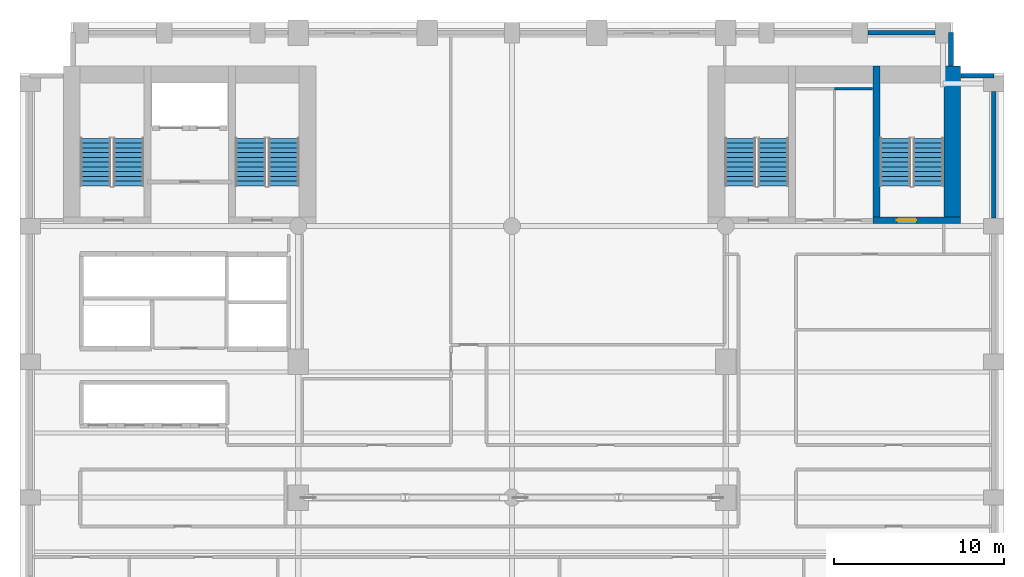
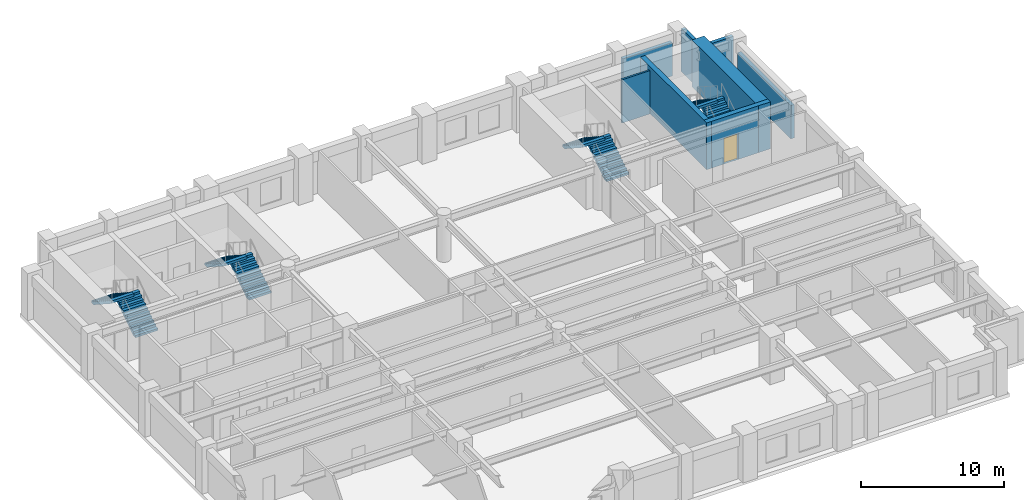
# One storey, part 8 of 10: 8 stair flights, 8 walls, 1 door, 1 opening, 4 elements without a shape of their own.
"""IFC4 building model written with IfcOpenShell, lengths in metres."""

from ifc_helpers import new_model, si_unit, direction, frame, frame_2d, origin, place, context, subcontext, project, spatial, polyline, rectangle, outline, extrude, material, layer, layer_set, type_object, element, fill, aggregate, save


model = new_model("IFC4")

# Units and contexts
model_context = context("Model", 3, precision=1e-05, world=origin(), true_north=direction((0.0, 1.0)))
body_context = subcontext(model_context, "Body", "Model", "MODEL_VIEW")
ifc_project = project(units=[si_unit("LENGTHUNIT", "METRE"), si_unit("AREAUNIT", "SQUARE_METRE"), si_unit("VOLUMEUNIT", "CUBIC_METRE"), si_unit("PLANEANGLEUNIT", "RADIAN"), si_unit("MASSUNIT", "GRAM", prefix="KILO")], contexts=[model_context])

# Site, building, storey
site_placement = place(None, origin())
site = spatial("IfcSite", under=ifc_project, at=site_placement, CompositionType="ELEMENT")
building_placement = place(site_placement, origin())
building = spatial("IfcBuilding", under=site, at=building_placement, Name="Sulina Concourse Tower", CompositionType="ELEMENT")
storey_placement = place(building_placement, frame((0.0, 0.0, 62.60009765625)))
storey = spatial("IfcBuildingStorey", under=building, at=storey_placement, Name="L15", CompositionType="ELEMENT", Elevation=62.60009765625)

# Wall
ifc_material_1 = material(Name="Gypsum board on steel stud", Category="steel")
ifc_layer_1 = layer(ifc_material_1, 0.14990234375)
ifc_layer_set_1 = layer_set([ifc_layer_1], Name="Gypsum board on steel stud")
wall_type_1 = type_object("IfcWallType", Name="Inter-Tenancy Acoustic Partition 150mm", PredefinedType="PARTITIONING", material=ifc_layer_set_1)
wall_1_placement = place(storey_placement, frame((48.0, 42.10009765625, 0.0), z_axis=(0.0, 0.0, 1.0), x_axis=(1.0, 0.0, 0.0)))
element("IfcWall", 1, at=wall_1_placement, inside=storey, type_object=wall_type_1, Name="L15 interior partition 028", PredefinedType="PARTITIONING", context=body_context, shape_type="SweptSolid", body=[
    extrude(rectangle(XDim=2.25, YDim=0.14990234375, at=frame_2d((1.125, 0.0))), origin(), (0.0, 0.0, 1.0), 3.699951171875),
])

# Wall, opening, door
ifc_material_2 = material(Name="Concrete C60/75", Category="concrete")
ifc_layer_2 = layer(ifc_material_2, 0.39990234375)
ifc_layer_set_2 = layer_set([ifc_layer_2], Name="Concrete C60/75")
wall_type_2 = type_object("IfcWallType", Name="Protected Stair Core Shear Wall 400mm", PredefinedType="SHEAR", material=ifc_layer_set_2)
wall_2_placement = place(storey_placement, frame((50.2900390625, 34.35009765625, 0.0), z_axis=(0.0, 0.0, 1.0), x_axis=(1.0, 0.0, 0.0)))
wall_2 = element("IfcWall", 2, at=wall_2_placement, inside=storey, type_object=wall_type_2, Name="L15 east core shear wall CW-ES2", PredefinedType="SHEAR", context=body_context, shape_type="SweptSolid", body=[
    extrude(rectangle(XDim=5.159912109375, YDim=0.39990234375, at=frame_2d((2.580078125, 0.0))), origin(), (0.0, 0.0, 1.0), 4.0),
])
opening_placement = place(wall_2_placement, frame((1.39990234375, 0.0, 0.0)))
opening = element("IfcOpeningElement", 3, at=opening_placement, cuts=wall_2, Name="Opening DR-60", PredefinedType="OPENING", context=body_context, shape_type="SweptSolid", body=[
    extrude(rectangle(XDim=1.14990234375, YDim=2.199951171875, at=frame_2d((0.574951171875, 1.10009765625))), frame((0.0, 0.2099609375, 0.0), z_axis=(0.0, -1.0, 0.0), x_axis=(1.0, 0.0, 0.0)), (0.0, 0.0, 1.0), 0.419921875),
])
ifc_material_3 = material(Name="Galvanised steel acoustic fire leaf", Category="steel")
ifc_layer_3 = layer(ifc_material_3, 0.054931640625)
ifc_layer_set_3 = layer_set([ifc_layer_3], Name="Galvanised steel acoustic fire leaf")
door_type = type_object("IfcDoorType", Name="Protected Exit Stair Fire Door 1150x2200", OperationType="NOTDEFINED", PredefinedType="DOOR", material=ifc_layer_set_3)
door_placement = place(opening_placement, origin())
door = element("IfcDoor", 4, at=door_placement, inside=storey, type_object=door_type, Name="L15 stair ST-4 south lobby fire door", OperationType="SINGLE_SWING_RIGHT", OverallHeight=2.199951171875, OverallWidth=1.14990234375, PredefinedType="DOOR", context=body_context, shape_type="SweptSolid", body=[
    extrude(rectangle(XDim=1.14990234375, YDim=2.199951171875, at=frame_2d((0.574951171875, 1.10009765625))), frame((0.0, 0.02490234375, 0.0), z_axis=(0.0, -1.0, 0.0), x_axis=(1.0, 0.0, 0.0)), (0.0, 0.0, 1.0), 0.050048828125),
])
fill(opening, door)

# Walls
wall_3_placement = place(storey_placement, frame((50.489990234375, 34.14990234375, 0.0), z_axis=(0.0, 0.0, 1.0), x_axis=(0.0, 1.0, 0.0)))
element("IfcWall", 5, at=wall_3_placement, inside=storey, type_object=wall_type_2, Name="L15 east core shear wall SW-ST4", PredefinedType="SHEAR", context=body_context, shape_type="SweptSolid", body=[
    extrude(rectangle(XDim=9.280029296875, YDim=0.39990234375, at=frame_2d((4.64013671875, 0.0))), origin(), (0.0, 0.0, 1.0), 4.0),
])
ifc_material_4 = material(Name="Concrete C80/95", Category="concrete")
ifc_layer_4 = layer(ifc_material_4, 1.0)
ifc_layer_set_4 = layer_set([ifc_layer_4], Name="Concrete C80/95")
wall_type_3 = type_object("IfcWallType", Name="Rear Core Shear Wall 1000mm", PredefinedType="SHEAR", material=ifc_layer_set_4)
wall_4_placement = place(storey_placement, frame((54.949951171875, 34.14990234375, 0.0), z_axis=(0.0, 0.0, 1.0), x_axis=(0.0, 1.0, 0.0)))
element("IfcWall", 6, at=wall_4_placement, inside=storey, type_object=wall_type_3, Name="L15 east core shear wall CW-EE", PredefinedType="SHEAR", context=body_context, shape_type="SweptSolid", body=[
    extrude(rectangle(XDim=9.280029296875, YDim=1.0, at=frame_2d((4.64013671875, 0.0))), origin(), (0.0, 0.0, 1.0), 4.0),
])
ifc_material_5 = material(Name="Precast concrete C50/60", Category="concrete")
ifc_layer_5 = layer(ifc_material_5, 0.280029296875)
ifc_layer_set_5 = layer_set([ifc_layer_5], Name="Precast concrete C50/60")
wall_type_4 = type_object("IfcWallType", Name="Typical Precast Masonry-Frame Facade Wall 280mm", PredefinedType="SOLIDWALL", material=ifc_layer_set_5)
wall_5_placement = place(storey_placement, frame((49.969970703125, 45.39990234375, 0.0), z_axis=(0.0, 0.0, 1.0), x_axis=(1.0, 0.0, 0.0)))
element("IfcWall", 7, at=wall_5_placement, inside=storey, type_object=wall_type_4, Name="L15 exterior precast wall N10", PredefinedType="SOLIDWALL", context=body_context, shape_type="SweptSolid", body=[
    extrude(rectangle(XDim=3.9599609375, YDim=0.280029296875, at=frame_2d((1.97998046875, 0.0))), origin(), (0.0, 0.0, 1.0), 2.849853515625),
])
wall_6_placement = place(storey_placement, frame((57.39990234375, 41.929931640625, 0.0), z_axis=(0.0, 0.0, 1.0), x_axis=(0.0, -1.0, 0.0)))
element("IfcWall", 8, at=wall_6_placement, inside=storey, type_object=wall_type_4, Name="L15 exterior precast wall E5", PredefinedType="SOLIDWALL", context=body_context, shape_type="SweptSolid", body=[
    extrude(rectangle(XDim=7.4599609375, YDim=0.280029296875, at=frame_2d((3.72998046875, 0.0))), origin(), (0.0, 0.0, 1.0), 2.849853515625),
])
wall_7_placement = place(storey_placement, frame((54.8701171875, 45.39990234375, 0.0), z_axis=(0.0, 0.0, 1.0), x_axis=(0.0, -1.0, 0.0)))
element("IfcWall", 9, at=wall_7_placement, inside=storey, type_object=wall_type_4, Name="L15 exterior precast wall CNE1", PredefinedType="SOLIDWALL", context=body_context, shape_type="SweptSolid", body=[
    extrude(rectangle(XDim=1.96484375, YDim=0.280029296875, at=frame_2d((0.982421875, 0.0))), origin(), (0.0, 0.0, 1.0), 3.699951171875),
])
wall_8_placement = place(storey_placement, frame((55.455078125, 42.8701171875, 0.0), z_axis=(0.0, 0.0, 1.0), x_axis=(1.0, 0.0, 0.0)))
element("IfcWall", 10, at=wall_8_placement, inside=storey, type_object=wall_type_4, Name="L15 exterior precast wall CNE2", PredefinedType="SOLIDWALL", context=body_context, shape_type="SweptSolid", body=[
    extrude(rectangle(XDim=1.94482421875, YDim=0.280029296875, at=frame_2d((0.972412109375, 0.0))), origin(), (0.0, 0.0, 1.0), 3.699951171875),
])

# Stair, stair flights
ifc_material_6 = material(Name="Concrete C50/60", Category="concrete")
stair_type_1 = type_object("IfcStairType", Name="Portal & Podium Core Exit Stair 1820mm", PredefinedType="HALF_TURN_STAIR", material=ifc_material_6)
stair_1_placement = place(storey_placement, origin())
stair_1 = element("IfcStair", 11, at=stair_1_placement, inside=storey, type_object=stair_type_1, Name="L15 ST-3", PredefinedType="HALF_TURN_STAIR")
ifc_material_7 = material(Name="Concrete C50/60", Category="concrete")
stair_flight_type_1 = type_object("IfcStairFlightType", Name="Portal & Podium Core Exit Stair 1820mm Flight", PredefinedType="STRAIGHT", material=ifc_material_7)
stair_flight_1_placement = place(storey_placement, frame((44.405029296875, 36.375, 0.0), z_axis=(0.0, 0.0, 1.0), x_axis=(0.0, 1.0, 0.0)))
stair_flight_1 = element("IfcStairFlight", 12, at=stair_flight_1_placement, type_object=stair_flight_type_1, Name="ST-3 flight 1", NumberOfRisers=11, NumberOfTreads=10, PredefinedType="STRAIGHT", RiserHeight=0.181818182, TreadLength=0.28, context=body_context, shape_type="SweptSolid", body=[
    extrude(outline(polyline([(0.0, 0.0), (0.0, 0.181884765625), (0.280029296875, 0.181884765625), (0.280029296875, 0.363525390625), (0.56005859375, 0.363525390625), (0.56005859375, 0.54541015625), (0.840087890625, 0.54541015625), (0.840087890625, 0.727294921875), (1.1201171875, 0.727294921875), (1.1201171875, 0.9091796875), (1.39990234375, 0.9091796875), (1.39990234375, 1.0908203125), (1.679931640625, 1.0908203125), (1.679931640625, 1.272705078125), (1.9599609375, 1.272705078125), (1.9599609375, 1.45458984375), (2.239990234375, 1.45458984375), (2.239990234375, 1.636474609375), (2.52001953125, 1.636474609375), (2.52001953125, 1.818115234375), (2.800048828125, 1.818115234375), (2.800048828125, 2.0), (2.800048828125, 1.603759765625), (0.330322265625, 0.0), (0.0, 0.0)])), frame((0.0, 0.89990234375, 0.0), z_axis=(0.0, -1.0, 0.0), x_axis=(1.0, 0.0, 0.0)), (0.0, 0.0, 1.0), 1.800048828125),
])
stair_flight_2_placement = place(storey_placement, frame((42.455078125, 39.175048828125, 2.0), z_axis=(0.0, 0.0, 1.0), x_axis=(0.0, -1.0, 0.0)))
stair_flight_2 = element("IfcStairFlight", 13, at=stair_flight_2_placement, type_object=stair_flight_type_1, Name="ST-3 flight 2", NumberOfRisers=11, NumberOfTreads=10, PredefinedType="STRAIGHT", RiserHeight=0.181818182, TreadLength=0.28, context=body_context, shape_type="SweptSolid", body=[
    extrude(outline(polyline([(0.0, 0.0), (0.0, 0.181884765625), (0.280029296875, 0.181884765625), (0.280029296875, 0.363525390625), (0.56005859375, 0.363525390625), (0.56005859375, 0.54541015625), (0.840087890625, 0.54541015625), (0.840087890625, 0.727294921875), (1.1201171875, 0.727294921875), (1.1201171875, 0.9091796875), (1.39990234375, 0.9091796875), (1.39990234375, 1.0908203125), (1.679931640625, 1.0908203125), (1.679931640625, 1.272705078125), (1.9599609375, 1.272705078125), (1.9599609375, 1.45458984375), (2.239990234375, 1.45458984375), (2.239990234375, 1.636474609375), (2.52001953125, 1.636474609375), (2.52001953125, 1.818115234375), (2.800048828125, 1.818115234375), (2.800048828125, 2.0), (2.800048828125, 1.603759765625), (0.330322265625, 0.0), (0.0, 0.0)])), frame((0.0, 0.89990234375, 0.0), z_axis=(0.0, -1.0, 0.0), x_axis=(1.0, 0.0, 0.0)), (0.0, 0.0, 1.0), 1.800048828125),
])
aggregate(stair_1, [stair_flight_1, stair_flight_2])

stair_2_placement = place(storey_placement, origin())
stair_2 = element("IfcStair", 14, at=stair_2_placement, inside=storey, type_object=stair_type_1, Name="L15 ST-4", PredefinedType="HALF_TURN_STAIR")
stair_flight_3_placement = place(storey_placement, frame((53.544921875, 36.375, 0.0), z_axis=(0.0, 0.0, 1.0), x_axis=(0.0, 1.0, 0.0)))
stair_flight_3 = element("IfcStairFlight", 15, at=stair_flight_3_placement, type_object=stair_flight_type_1, Name="ST-4 flight 1", NumberOfRisers=11, NumberOfTreads=10, PredefinedType="STRAIGHT", RiserHeight=0.181818182, TreadLength=0.28, context=body_context, shape_type="SweptSolid", body=[
    extrude(outline(polyline([(0.0, 0.0), (0.0, 0.181884765625), (0.280029296875, 0.181884765625), (0.280029296875, 0.363525390625), (0.56005859375, 0.363525390625), (0.56005859375, 0.54541015625), (0.840087890625, 0.54541015625), (0.840087890625, 0.727294921875), (1.1201171875, 0.727294921875), (1.1201171875, 0.9091796875), (1.39990234375, 0.9091796875), (1.39990234375, 1.0908203125), (1.679931640625, 1.0908203125), (1.679931640625, 1.272705078125), (1.9599609375, 1.272705078125), (1.9599609375, 1.45458984375), (2.239990234375, 1.45458984375), (2.239990234375, 1.636474609375), (2.52001953125, 1.636474609375), (2.52001953125, 1.818115234375), (2.800048828125, 1.818115234375), (2.800048828125, 2.0), (2.800048828125, 1.603759765625), (0.330322265625, 0.0), (0.0, 0.0)])), frame((0.0, 0.89990234375, 0.0), z_axis=(0.0, -1.0, 0.0), x_axis=(1.0, 0.0, 0.0)), (0.0, 0.0, 1.0), 1.800048828125),
])
stair_flight_4_placement = place(storey_placement, frame((51.594970703125, 39.175048828125, 2.0), z_axis=(0.0, 0.0, 1.0), x_axis=(0.0, -1.0, 0.0)))
stair_flight_4 = element("IfcStairFlight", 16, at=stair_flight_4_placement, type_object=stair_flight_type_1, Name="ST-4 flight 2", NumberOfRisers=11, NumberOfTreads=10, PredefinedType="STRAIGHT", RiserHeight=0.181818182, TreadLength=0.28, context=body_context, shape_type="SweptSolid", body=[
    extrude(outline(polyline([(0.0, 0.0), (0.0, 0.181884765625), (0.280029296875, 0.181884765625), (0.280029296875, 0.363525390625), (0.56005859375, 0.363525390625), (0.56005859375, 0.54541015625), (0.840087890625, 0.54541015625), (0.840087890625, 0.727294921875), (1.1201171875, 0.727294921875), (1.1201171875, 0.9091796875), (1.39990234375, 0.9091796875), (1.39990234375, 1.0908203125), (1.679931640625, 1.0908203125), (1.679931640625, 1.272705078125), (1.9599609375, 1.272705078125), (1.9599609375, 1.45458984375), (2.239990234375, 1.45458984375), (2.239990234375, 1.636474609375), (2.52001953125, 1.636474609375), (2.52001953125, 1.818115234375), (2.800048828125, 1.818115234375), (2.800048828125, 2.0), (2.800048828125, 1.603759765625), (0.330322265625, 0.0), (0.0, 0.0)])), frame((0.0, 0.89990234375, 0.0), z_axis=(0.0, -1.0, 0.0), x_axis=(1.0, 0.0, 0.0)), (0.0, 0.0, 1.0), 1.800048828125),
])
aggregate(stair_2, [stair_flight_3, stair_flight_4])

ifc_material_8 = material(Name="Concrete C50/60", Category="concrete")
stair_type_2 = type_object("IfcStairType", Name="Primary Core Dog-Leg Exit Stair 1800mm", PredefinedType="HALF_TURN_STAIR", material=ifc_material_8)
stair_3_placement = place(storey_placement, origin())
stair_3 = element("IfcStair", 17, at=stair_3_placement, inside=storey, type_object=stair_type_2, Name="L15 ST-1", PredefinedType="HALF_TURN_STAIR")
ifc_material_9 = material(Name="Concrete C50/60", Category="concrete")
stair_flight_type_2 = type_object("IfcStairFlightType", Name="Primary Core Dog-Leg Exit Stair 1800mm Flight", PredefinedType="STRAIGHT", material=ifc_material_9)
stair_flight_5_placement = place(storey_placement, frame((6.405029296875, 36.375, 0.0), z_axis=(0.0, 0.0, 1.0), x_axis=(0.0, 1.0, 0.0)))
stair_flight_5 = element("IfcStairFlight", 18, at=stair_flight_5_placement, type_object=stair_flight_type_2, Name="ST-1 flight 1", NumberOfRisers=11, NumberOfTreads=10, PredefinedType="STRAIGHT", RiserHeight=0.181818182, TreadLength=0.28, context=body_context, shape_type="SweptSolid", body=[
    extrude(outline(polyline([(0.0, 0.0), (0.0, 0.181884765625), (0.280029296875, 0.181884765625), (0.280029296875, 0.363525390625), (0.56005859375, 0.363525390625), (0.56005859375, 0.54541015625), (0.840087890625, 0.54541015625), (0.840087890625, 0.727294921875), (1.1201171875, 0.727294921875), (1.1201171875, 0.9091796875), (1.39990234375, 0.9091796875), (1.39990234375, 1.0908203125), (1.679931640625, 1.0908203125), (1.679931640625, 1.272705078125), (1.9599609375, 1.272705078125), (1.9599609375, 1.45458984375), (2.239990234375, 1.45458984375), (2.239990234375, 1.636474609375), (2.52001953125, 1.636474609375), (2.52001953125, 1.818115234375), (2.800048828125, 1.818115234375), (2.800048828125, 2.0), (2.800048828125, 1.603759765625), (0.330322265625, 0.0), (0.0, 0.0)])), frame((0.0, 0.89990234375, 0.0), z_axis=(0.0, -1.0, 0.0), x_axis=(1.0, 0.0, 0.0)), (0.0, 0.0, 1.0), 1.800048828125),
])
stair_flight_6_placement = place(storey_placement, frame((4.455078125, 39.175048828125, 2.0), z_axis=(0.0, 0.0, 1.0), x_axis=(0.0, -1.0, 0.0)))
stair_flight_6 = element("IfcStairFlight", 19, at=stair_flight_6_placement, type_object=stair_flight_type_2, Name="ST-1 flight 2", NumberOfRisers=11, NumberOfTreads=10, PredefinedType="STRAIGHT", RiserHeight=0.181818182, TreadLength=0.28, context=body_context, shape_type="SweptSolid", body=[
    extrude(outline(polyline([(0.0, 0.0), (0.0, 0.181884765625), (0.280029296875, 0.181884765625), (0.280029296875, 0.363525390625), (0.56005859375, 0.363525390625), (0.56005859375, 0.54541015625), (0.840087890625, 0.54541015625), (0.840087890625, 0.727294921875), (1.1201171875, 0.727294921875), (1.1201171875, 0.9091796875), (1.39990234375, 0.9091796875), (1.39990234375, 1.0908203125), (1.679931640625, 1.0908203125), (1.679931640625, 1.272705078125), (1.9599609375, 1.272705078125), (1.9599609375, 1.45458984375), (2.239990234375, 1.45458984375), (2.239990234375, 1.636474609375), (2.52001953125, 1.636474609375), (2.52001953125, 1.818115234375), (2.800048828125, 1.818115234375), (2.800048828125, 2.0), (2.800048828125, 1.603759765625), (0.330322265625, 0.0), (0.0, 0.0)])), frame((0.0, 0.89990234375, 0.0), z_axis=(0.0, -1.0, 0.0), x_axis=(1.0, 0.0, 0.0)), (0.0, 0.0, 1.0), 1.800048828125),
])
aggregate(stair_3, [stair_flight_5, stair_flight_6])

stair_4_placement = place(storey_placement, origin())
stair_4 = element("IfcStair", 20, at=stair_4_placement, inside=storey, type_object=stair_type_2, Name="L15 ST-2", PredefinedType="HALF_TURN_STAIR")
stair_flight_7_placement = place(storey_placement, frame((15.544921875, 36.375, 0.0), z_axis=(0.0, 0.0, 1.0), x_axis=(0.0, 1.0, 0.0)))
stair_flight_7 = element("IfcStairFlight", 21, at=stair_flight_7_placement, type_object=stair_flight_type_2, Name="ST-2 flight 1", NumberOfRisers=11, NumberOfTreads=10, PredefinedType="STRAIGHT", RiserHeight=0.181818182, TreadLength=0.28, context=body_context, shape_type="SweptSolid", body=[
    extrude(outline(polyline([(0.0, 0.0), (0.0, 0.181884765625), (0.280029296875, 0.181884765625), (0.280029296875, 0.363525390625), (0.56005859375, 0.363525390625), (0.56005859375, 0.54541015625), (0.840087890625, 0.54541015625), (0.840087890625, 0.727294921875), (1.1201171875, 0.727294921875), (1.1201171875, 0.9091796875), (1.39990234375, 0.9091796875), (1.39990234375, 1.0908203125), (1.679931640625, 1.0908203125), (1.679931640625, 1.272705078125), (1.9599609375, 1.272705078125), (1.9599609375, 1.45458984375), (2.239990234375, 1.45458984375), (2.239990234375, 1.636474609375), (2.52001953125, 1.636474609375), (2.52001953125, 1.818115234375), (2.800048828125, 1.818115234375), (2.800048828125, 2.0), (2.800048828125, 1.603759765625), (0.330322265625, 0.0), (0.0, 0.0)])), frame((0.0, 0.89990234375, 0.0), z_axis=(0.0, -1.0, 0.0), x_axis=(1.0, 0.0, 0.0)), (0.0, 0.0, 1.0), 1.800048828125),
])
stair_flight_8_placement = place(storey_placement, frame((13.594970703125, 39.175048828125, 2.0), z_axis=(0.0, 0.0, 1.0), x_axis=(0.0, -1.0, 0.0)))
stair_flight_8 = element("IfcStairFlight", 22, at=stair_flight_8_placement, type_object=stair_flight_type_2, Name="ST-2 flight 2", NumberOfRisers=11, NumberOfTreads=10, PredefinedType="STRAIGHT", RiserHeight=0.181818182, TreadLength=0.28, context=body_context, shape_type="SweptSolid", body=[
    extrude(outline(polyline([(0.0, 0.0), (0.0, 0.181884765625), (0.280029296875, 0.181884765625), (0.280029296875, 0.363525390625), (0.56005859375, 0.363525390625), (0.56005859375, 0.54541015625), (0.840087890625, 0.54541015625), (0.840087890625, 0.727294921875), (1.1201171875, 0.727294921875), (1.1201171875, 0.9091796875), (1.39990234375, 0.9091796875), (1.39990234375, 1.0908203125), (1.679931640625, 1.0908203125), (1.679931640625, 1.272705078125), (1.9599609375, 1.272705078125), (1.9599609375, 1.45458984375), (2.239990234375, 1.45458984375), (2.239990234375, 1.636474609375), (2.52001953125, 1.636474609375), (2.52001953125, 1.818115234375), (2.800048828125, 1.818115234375), (2.800048828125, 2.0), (2.800048828125, 1.603759765625), (0.330322265625, 0.0), (0.0, 0.0)])), frame((0.0, 0.89990234375, 0.0), z_axis=(0.0, -1.0, 0.0), x_axis=(1.0, 0.0, 0.0)), (0.0, 0.0, 1.0), 1.800048828125),
])
aggregate(stair_4, [stair_flight_7, stair_flight_8])

save(model, "model.ifc")
